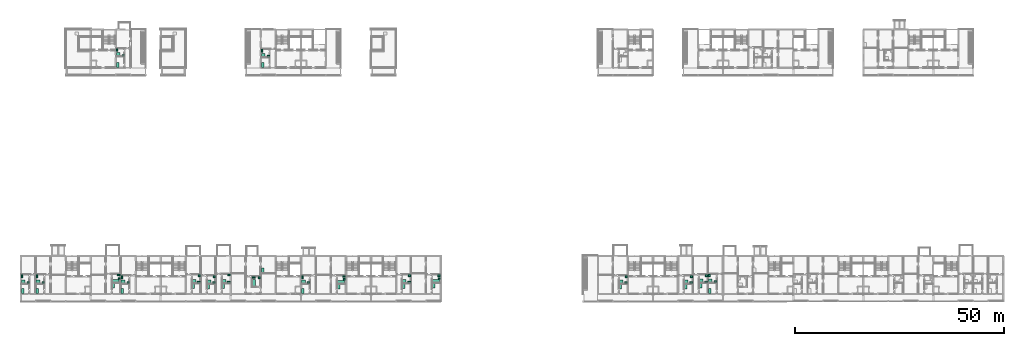
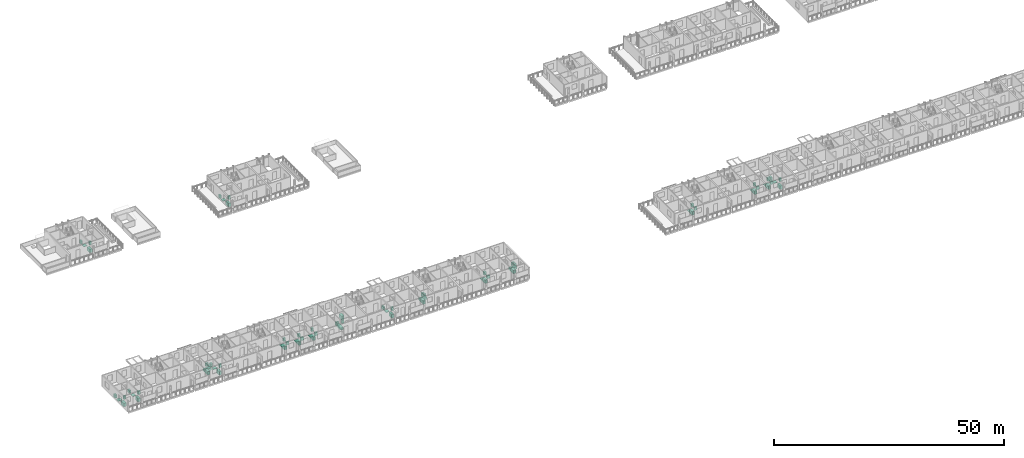
# One storey, part 86 of 87: 72 sanitary terminals.
"""IFC4 building model written with IfcOpenShell, lengths in metres."""

from ifc_helpers import new_model, si_unit, direction, frame, origin, origin_2d, place, context, subcontext, project, spatial, rectangle, extrude, element, save


model = new_model("IFC4")

# Units and contexts
model_context = context("Model", 3, precision=1e-05, world=origin(), true_north=direction((0.0, 1.0)))
body_context = subcontext(model_context, "Body", "Model", "MODEL_VIEW")
ifc_project = project(units=[si_unit("LENGTHUNIT", "METRE"), si_unit("AREAUNIT", "SQUARE_METRE"), si_unit("VOLUMEUNIT", "CUBIC_METRE"), si_unit("PLANEANGLEUNIT", "RADIAN"), si_unit("MASSUNIT", "GRAM", prefix="KILO")], contexts=[model_context])

# Site, building, storey
site_placement = place(None, origin())
site = spatial("IfcSite", under=ifc_project, at=site_placement, CompositionType="ELEMENT")
building_placement = place(site_placement, origin())
building = spatial("IfcBuilding", under=site, at=building_placement, Name="Ridgestep Commons", CompositionType="ELEMENT")
storey_placement = place(building_placement, frame((0.0, 0.0, 27.0)))
storey = spatial("IfcBuildingStorey", under=building, at=storey_placement, Name="L09", CompositionType="ELEMENT", Elevation=27.0)

# Sanitary terminals
sanitary_terminal_1_placement = place(storey_placement, frame((12.60009765625, 16.610107421875, 0.0), z_axis=(0.0, 0.0, 1.0), x_axis=(1.0, 0.0, 0.0)))
element("IfcSanitaryTerminal", 1, at=sanitary_terminal_1_placement, inside=storey, Name="Shower tray A1-09a", PredefinedType="SHOWER", context=body_context, shape_type="SweptSolid", body=[
    extrude(rectangle(XDim=0.89990234375, YDim=0.89990234375, at=origin_2d()), origin(), (0.0, 0.0, 1.0), 0.10009765625),
])
sanitary_terminal_2_placement = place(storey_placement, frame((12.35009765625, 17.89990234375, 0.0), z_axis=(0.0, 0.0, 1.0), x_axis=(1.0, 0.0, 0.0)))
element("IfcSanitaryTerminal", 2, at=sanitary_terminal_2_placement, inside=storey, Name="WC A1-09a", PredefinedType="TOILETPAN", context=body_context, shape_type="SweptSolid", body=[
    extrude(rectangle(XDim=0.39990234375, YDim=0.699951171875, at=origin_2d()), origin(), (0.0, 0.0, 1.0), 0.800048828125),
])
sanitary_terminal_3_placement = place(storey_placement, frame((13.81494140625, 16.385009765625, 0.0), z_axis=(0.0, 0.0, 1.0), x_axis=(1.0, 0.0, 0.0)))
element("IfcSanitaryTerminal", 3, at=sanitary_terminal_3_placement, inside=storey, Name="Basin A1-09a", PredefinedType="WASHHANDBASIN", context=body_context, shape_type="SweptSolid", body=[
    extrude(rectangle(XDim=0.550048828125, YDim=0.449951171875, at=origin_2d()), origin(), (0.0, 0.0, 1.0), 0.85009765625),
])
sanitary_terminal_4_placement = place(storey_placement, frame((12.449951171875, 14.35009765625, 0.0), z_axis=(0.0, 0.0, 1.0), x_axis=(1.0, 0.0, 0.0)))
element("IfcSanitaryTerminal", 4, at=sanitary_terminal_4_placement, inside=storey, Name="Kitchen sink A1-09a", PredefinedType="SINK", context=body_context, shape_type="SweptSolid", body=[
    extrude(rectangle(XDim=0.60009765625, YDim=1.199951171875, at=origin_2d()), origin(), (0.0, 0.0, 1.0), 0.89990234375),
])
sanitary_terminal_5_placement = place(storey_placement, frame((16.14990234375, 16.610107421875, 0.0), z_axis=(0.0, 0.0, 1.0), x_axis=(1.0, 0.0, 0.0)))
element("IfcSanitaryTerminal", 5, at=sanitary_terminal_5_placement, inside=storey, Name="Shower tray A1-09b", PredefinedType="SHOWER", context=body_context, shape_type="SweptSolid", body=[
    extrude(rectangle(XDim=0.89990234375, YDim=0.89990234375, at=origin_2d()), origin(), (0.0, 0.0, 1.0), 0.10009765625),
])
sanitary_terminal_6_placement = place(storey_placement, frame((15.89990234375, 17.89990234375, 0.0), z_axis=(0.0, 0.0, 1.0), x_axis=(1.0, 0.0, 0.0)))
element("IfcSanitaryTerminal", 6, at=sanitary_terminal_6_placement, inside=storey, Name="WC A1-09b", PredefinedType="TOILETPAN", context=body_context, shape_type="SweptSolid", body=[
    extrude(rectangle(XDim=0.39990234375, YDim=0.699951171875, at=origin_2d()), origin(), (0.0, 0.0, 1.0), 0.800048828125),
])
sanitary_terminal_7_placement = place(storey_placement, frame((17.4150390625, 16.385009765625, 0.0), z_axis=(0.0, 0.0, 1.0), x_axis=(1.0, 0.0, 0.0)))
element("IfcSanitaryTerminal", 7, at=sanitary_terminal_7_placement, inside=storey, Name="Basin A1-09b", PredefinedType="WASHHANDBASIN", context=body_context, shape_type="SweptSolid", body=[
    extrude(rectangle(XDim=0.550048828125, YDim=0.449951171875, at=origin_2d()), origin(), (0.0, 0.0, 1.0), 0.85009765625),
])
sanitary_terminal_8_placement = place(storey_placement, frame((16.0, 14.35009765625, 0.0), z_axis=(0.0, 0.0, 1.0), x_axis=(1.0, 0.0, 0.0)))
element("IfcSanitaryTerminal", 8, at=sanitary_terminal_8_placement, inside=storey, Name="Kitchen sink A1-09b", PredefinedType="SINK", context=body_context, shape_type="SweptSolid", body=[
    extrude(rectangle(XDim=0.60009765625, YDim=1.199951171875, at=origin_2d()), origin(), (0.0, 0.0, 1.0), 0.89990234375),
])
sanitary_terminal_9_placement = place(storey_placement, frame((34.760009765625, 16.735107421875, 0.0), z_axis=(0.0, 0.0, 1.0), x_axis=(1.0, 0.0, 0.0)))
element("IfcSanitaryTerminal", 9, at=sanitary_terminal_9_placement, inside=storey, Name="Bath A2-09a", PredefinedType="BATH", context=body_context, shape_type="SweptSolid", body=[
    extrude(rectangle(XDim=1.699951171875, YDim=0.75, at=origin_2d()), origin(), (0.0, 0.0, 1.0), 0.550048828125),
])
sanitary_terminal_10_placement = place(storey_placement, frame((35.550048828125, 18.25, 0.0), z_axis=(0.0, 0.0, 1.0), x_axis=(1.0, 0.0, 0.0)))
element("IfcSanitaryTerminal", 10, at=sanitary_terminal_10_placement, inside=storey, Name="WC A2-09a", PredefinedType="TOILETPAN", context=body_context, shape_type="SweptSolid", body=[
    extrude(rectangle(XDim=0.699951171875, YDim=0.39990234375, at=origin_2d()), origin(), (0.0, 0.0, 1.0), 0.800048828125),
])
sanitary_terminal_11_placement = place(storey_placement, frame((35.625, 17.385009765625, 0.0), z_axis=(0.0, 0.0, 1.0), x_axis=(1.0, 0.0, 0.0)))
element("IfcSanitaryTerminal", 11, at=sanitary_terminal_11_placement, inside=storey, Name="Basin A2-09a", PredefinedType="WASHHANDBASIN", context=body_context, shape_type="SweptSolid", body=[
    extrude(rectangle(XDim=0.550048828125, YDim=0.449951171875, at=origin_2d()), origin(), (0.0, 0.0, 1.0), 0.85009765625),
])
sanitary_terminal_12_placement = place(storey_placement, frame((34.2099609375, 15.64990234375, 0.0), z_axis=(0.0, 0.0, 1.0), x_axis=(1.0, 0.0, 0.0)))
element("IfcSanitaryTerminal", 12, at=sanitary_terminal_12_placement, inside=storey, Name="Kitchen sink A2-09a", PredefinedType="SINK", context=body_context, shape_type="SweptSolid", body=[
    extrude(rectangle(XDim=0.60009765625, YDim=1.199951171875, at=origin_2d()), origin(), (0.0, 0.0, 1.0), 0.89990234375),
])
sanitary_terminal_13_placement = place(storey_placement, frame((36.550048828125, 16.610107421875, 0.0), z_axis=(0.0, 0.0, 1.0), x_axis=(1.0, 0.0, 0.0)))
element("IfcSanitaryTerminal", 13, at=sanitary_terminal_13_placement, inside=storey, Name="Shower tray A2-09b", PredefinedType="SHOWER", context=body_context, shape_type="SweptSolid", body=[
    extrude(rectangle(XDim=0.89990234375, YDim=0.89990234375, at=origin_2d()), origin(), (0.0, 0.0, 1.0), 0.10009765625),
])
sanitary_terminal_14_placement = place(storey_placement, frame((36.300048828125, 17.699951171875, 0.0), z_axis=(0.0, 0.0, 1.0), x_axis=(1.0, 0.0, 0.0)))
element("IfcSanitaryTerminal", 14, at=sanitary_terminal_14_placement, inside=storey, Name="WC A2-09b", PredefinedType="TOILETPAN", context=body_context, shape_type="SweptSolid", body=[
    extrude(rectangle(XDim=0.39990234375, YDim=0.699951171875, at=origin_2d()), origin(), (0.0, 0.0, 1.0), 0.800048828125),
])
sanitary_terminal_15_placement = place(storey_placement, frame((37.7900390625, 16.385009765625, 0.0), z_axis=(0.0, 0.0, 1.0), x_axis=(1.0, 0.0, 0.0)))
element("IfcSanitaryTerminal", 15, at=sanitary_terminal_15_placement, inside=storey, Name="Basin A2-09b", PredefinedType="WASHHANDBASIN", context=body_context, shape_type="SweptSolid", body=[
    extrude(rectangle(XDim=0.550048828125, YDim=0.449951171875, at=origin_2d()), origin(), (0.0, 0.0, 1.0), 0.85009765625),
])
sanitary_terminal_16_placement = place(storey_placement, frame((36.39990234375, 14.35009765625, 0.0), z_axis=(0.0, 0.0, 1.0), x_axis=(1.0, 0.0, 0.0)))
element("IfcSanitaryTerminal", 16, at=sanitary_terminal_16_placement, inside=storey, Name="Kitchen sink A2-09b", PredefinedType="SINK", context=body_context, shape_type="SweptSolid", body=[
    extrude(rectangle(XDim=0.60009765625, YDim=1.199951171875, at=origin_2d()), origin(), (0.0, 0.0, 1.0), 0.89990234375),
])
sanitary_terminal_17_placement = place(storey_placement, frame((60.760009765625, 16.7099609375, 0.0), z_axis=(0.0, 0.0, 1.0), x_axis=(1.0, 0.0, 0.0)))
element("IfcSanitaryTerminal", 17, at=sanitary_terminal_17_placement, inside=storey, Name="Shower tray A3-09a", PredefinedType="SHOWER", context=body_context, shape_type="SweptSolid", body=[
    extrude(rectangle(XDim=0.89990234375, YDim=0.89990234375, at=origin_2d()), origin(), (0.0, 0.0, 1.0), 0.10009765625),
])
sanitary_terminal_18_placement = place(storey_placement, frame((61.89990234375, 16.4599609375, 0.0), z_axis=(0.0, 0.0, 1.0), x_axis=(1.0, 0.0, 0.0)))
element("IfcSanitaryTerminal", 18, at=sanitary_terminal_18_placement, inside=storey, Name="WC A3-09a", PredefinedType="TOILETPAN", context=body_context, shape_type="SweptSolid", body=[
    extrude(rectangle(XDim=0.699951171875, YDim=0.39990234375, at=origin_2d()), origin(), (0.0, 0.0, 1.0), 0.800048828125),
])
sanitary_terminal_19_placement = place(storey_placement, frame((61.97509765625, 18.22509765625, 0.0), z_axis=(0.0, 0.0, 1.0), x_axis=(1.0, 0.0, 0.0)))
element("IfcSanitaryTerminal", 19, at=sanitary_terminal_19_placement, inside=storey, Name="Basin A3-09a", PredefinedType="WASHHANDBASIN", context=body_context, shape_type="SweptSolid", body=[
    extrude(rectangle(XDim=0.550048828125, YDim=0.449951171875, at=origin_2d()), origin(), (0.0, 0.0, 1.0), 0.85009765625),
])
sanitary_terminal_20_placement = place(storey_placement, frame((60.610107421875, 15.550048828125, 0.0), z_axis=(0.0, 0.0, 1.0), x_axis=(1.0, 0.0, 0.0)))
element("IfcSanitaryTerminal", 20, at=sanitary_terminal_20_placement, inside=storey, Name="Kitchen sink A3-09a", PredefinedType="SINK", context=body_context, shape_type="SweptSolid", body=[
    extrude(rectangle(XDim=0.60009765625, YDim=1.199951171875, at=origin_2d()), origin(), (0.0, 0.0, 1.0), 0.89990234375),
])
sanitary_terminal_21_placement = place(storey_placement, frame((57.159912109375, 16.610107421875, 0.0), z_axis=(0.0, 0.0, 1.0), x_axis=(1.0, 0.0, 0.0)))
element("IfcSanitaryTerminal", 21, at=sanitary_terminal_21_placement, inside=storey, Name="Shower tray A3-09b", PredefinedType="SHOWER", context=body_context, shape_type="SweptSolid", body=[
    extrude(rectangle(XDim=0.89990234375, YDim=0.89990234375, at=origin_2d()), origin(), (0.0, 0.0, 1.0), 0.10009765625),
])
sanitary_terminal_22_placement = place(storey_placement, frame((58.35009765625, 16.360107421875, 0.0), z_axis=(0.0, 0.0, 1.0), x_axis=(1.0, 0.0, 0.0)))
element("IfcSanitaryTerminal", 22, at=sanitary_terminal_22_placement, inside=storey, Name="WC A3-09b", PredefinedType="TOILETPAN", context=body_context, shape_type="SweptSolid", body=[
    extrude(rectangle(XDim=0.699951171875, YDim=0.39990234375, at=origin_2d()), origin(), (0.0, 0.0, 1.0), 0.800048828125),
])
sanitary_terminal_23_placement = place(storey_placement, frame((58.425048828125, 17.824951171875, 0.0), z_axis=(0.0, 0.0, 1.0), x_axis=(1.0, 0.0, 0.0)))
element("IfcSanitaryTerminal", 23, at=sanitary_terminal_23_placement, inside=storey, Name="Basin A3-09b", PredefinedType="WASHHANDBASIN", context=body_context, shape_type="SweptSolid", body=[
    extrude(rectangle(XDim=0.550048828125, YDim=0.449951171875, at=origin_2d()), origin(), (0.0, 0.0, 1.0), 0.85009765625),
])
sanitary_terminal_24_placement = place(storey_placement, frame((57.010009765625, 15.449951171875, 0.0), z_axis=(0.0, 0.0, 1.0), x_axis=(1.0, 0.0, 0.0)))
element("IfcSanitaryTerminal", 24, at=sanitary_terminal_24_placement, inside=storey, Name="Kitchen sink A3-09b", PredefinedType="SINK", context=body_context, shape_type="SweptSolid", body=[
    extrude(rectangle(XDim=0.60009765625, YDim=1.199951171875, at=origin_2d()), origin(), (0.0, 0.0, 1.0), 0.89990234375),
])
sanitary_terminal_25_placement = place(storey_placement, frame((53.5849609375, 16.7099609375, 0.0), z_axis=(0.0, 0.0, 1.0), x_axis=(1.0, 0.0, 0.0)))
element("IfcSanitaryTerminal", 25, at=sanitary_terminal_25_placement, inside=storey, Name="Shower tray A3-09c", PredefinedType="SHOWER", context=body_context, shape_type="SweptSolid", body=[
    extrude(rectangle(XDim=0.89990234375, YDim=0.89990234375, at=origin_2d()), origin(), (0.0, 0.0, 1.0), 0.10009765625),
])
sanitary_terminal_26_placement = place(storey_placement, frame((54.75, 16.4599609375, 0.0), z_axis=(0.0, 0.0, 1.0), x_axis=(1.0, 0.0, 0.0)))
element("IfcSanitaryTerminal", 26, at=sanitary_terminal_26_placement, inside=storey, Name="WC A3-09c", PredefinedType="TOILETPAN", context=body_context, shape_type="SweptSolid", body=[
    extrude(rectangle(XDim=0.699951171875, YDim=0.39990234375, at=origin_2d()), origin(), (0.0, 0.0, 1.0), 0.800048828125),
])
sanitary_terminal_27_placement = place(storey_placement, frame((54.824951171875, 18.02490234375, 0.0), z_axis=(0.0, 0.0, 1.0), x_axis=(1.0, 0.0, 0.0)))
element("IfcSanitaryTerminal", 27, at=sanitary_terminal_27_placement, inside=storey, Name="Basin A3-09c", PredefinedType="WASHHANDBASIN", context=body_context, shape_type="SweptSolid", body=[
    extrude(rectangle(XDim=0.550048828125, YDim=0.449951171875, at=origin_2d()), origin(), (0.0, 0.0, 1.0), 0.85009765625),
])
sanitary_terminal_28_placement = place(storey_placement, frame((53.43505859375, 15.550048828125, 0.0), z_axis=(0.0, 0.0, 1.0), x_axis=(1.0, 0.0, 0.0)))
element("IfcSanitaryTerminal", 28, at=sanitary_terminal_28_placement, inside=storey, Name="Kitchen sink A3-09c", PredefinedType="SINK", context=body_context, shape_type="SweptSolid", body=[
    extrude(rectangle(XDim=0.60009765625, YDim=1.199951171875, at=origin_2d()), origin(), (0.0, 0.0, 1.0), 0.89990234375),
])
sanitary_terminal_29_placement = place(storey_placement, frame((67.885009765625, 16.260009765625, 0.0), z_axis=(0.0, 0.0, 1.0), x_axis=(1.0, 0.0, 0.0)))
element("IfcSanitaryTerminal", 29, at=sanitary_terminal_29_placement, inside=storey, Name="Bath A4-09a", PredefinedType="BATH", context=body_context, shape_type="SweptSolid", body=[
    extrude(rectangle(XDim=0.75, YDim=1.699951171875, at=origin_2d()), origin(), (0.0, 0.0, 1.0), 0.550048828125),
])
sanitary_terminal_30_placement = place(storey_placement, frame((67.860107421875, 17.610107421875, 0.0), z_axis=(0.0, 0.0, 1.0), x_axis=(1.0, 0.0, 0.0)))
element("IfcSanitaryTerminal", 30, at=sanitary_terminal_30_placement, inside=storey, Name="WC A4-09a", PredefinedType="TOILETPAN", context=body_context, shape_type="SweptSolid", body=[
    extrude(rectangle(XDim=0.699951171875, YDim=0.39990234375, at=origin_2d()), origin(), (0.0, 0.0, 1.0), 0.800048828125),
])
sanitary_terminal_31_placement = place(storey_placement, frame((69.22509765625, 17.5849609375, 0.0), z_axis=(0.0, 0.0, 1.0), x_axis=(1.0, 0.0, 0.0)))
element("IfcSanitaryTerminal", 31, at=sanitary_terminal_31_placement, inside=storey, Name="Basin A4-09a", PredefinedType="WASHHANDBASIN", context=body_context, shape_type="SweptSolid", body=[
    extrude(rectangle(XDim=0.550048828125, YDim=0.449951171875, at=origin_2d()), origin(), (0.0, 0.0, 1.0), 0.85009765625),
])
sanitary_terminal_32_placement = place(storey_placement, frame((70.0, 19.260009765625, 0.0), z_axis=(0.0, 0.0, 1.0), x_axis=(1.0, 0.0, 0.0)))
element("IfcSanitaryTerminal", 32, at=sanitary_terminal_32_placement, inside=storey, Name="Kitchen sink A4-09a", PredefinedType="SINK", context=body_context, shape_type="SweptSolid", body=[
    extrude(rectangle(XDim=0.60009765625, YDim=1.199951171875, at=origin_2d()), origin(), (0.0, 0.0, 1.0), 0.89990234375),
])
sanitary_terminal_33_placement = place(storey_placement, frame((79.800048828125, 16.610107421875, 0.0), z_axis=(0.0, 0.0, 1.0), x_axis=(1.0, 0.0, 0.0)))
element("IfcSanitaryTerminal", 33, at=sanitary_terminal_33_placement, inside=storey, Name="Shower tray A5-09a", PredefinedType="SHOWER", context=body_context, shape_type="SweptSolid", body=[
    extrude(rectangle(XDim=0.89990234375, YDim=0.89990234375, at=origin_2d()), origin(), (0.0, 0.0, 1.0), 0.10009765625),
])
sanitary_terminal_34_placement = place(storey_placement, frame((79.550048828125, 17.699951171875, 0.0), z_axis=(0.0, 0.0, 1.0), x_axis=(1.0, 0.0, 0.0)))
element("IfcSanitaryTerminal", 34, at=sanitary_terminal_34_placement, inside=storey, Name="WC A5-09a", PredefinedType="TOILETPAN", context=body_context, shape_type="SweptSolid", body=[
    extrude(rectangle(XDim=0.39990234375, YDim=0.699951171875, at=origin_2d()), origin(), (0.0, 0.0, 1.0), 0.800048828125),
])
sanitary_terminal_35_placement = place(storey_placement, frame((81.014892578125, 16.385009765625, 0.0), z_axis=(0.0, 0.0, 1.0), x_axis=(1.0, 0.0, 0.0)))
element("IfcSanitaryTerminal", 35, at=sanitary_terminal_35_placement, inside=storey, Name="Basin A5-09a", PredefinedType="WASHHANDBASIN", context=body_context, shape_type="SweptSolid", body=[
    extrude(rectangle(XDim=0.550048828125, YDim=0.449951171875, at=origin_2d()), origin(), (0.0, 0.0, 1.0), 0.85009765625),
])
sanitary_terminal_36_placement = place(storey_placement, frame((79.64990234375, 14.35009765625, 0.0), z_axis=(0.0, 0.0, 1.0), x_axis=(1.0, 0.0, 0.0)))
element("IfcSanitaryTerminal", 36, at=sanitary_terminal_36_placement, inside=storey, Name="Kitchen sink A5-09a", PredefinedType="SINK", context=body_context, shape_type="SweptSolid", body=[
    extrude(rectangle(XDim=0.60009765625, YDim=1.199951171875, at=origin_2d()), origin(), (0.0, 0.0, 1.0), 0.89990234375),
])
sanitary_terminal_37_placement = place(storey_placement, frame((88.760009765625, 16.534912109375, 0.0), z_axis=(0.0, 0.0, 1.0), x_axis=(1.0, 0.0, 0.0)))
element("IfcSanitaryTerminal", 37, at=sanitary_terminal_37_placement, inside=storey, Name="Bath A5-09b", PredefinedType="BATH", context=body_context, shape_type="SweptSolid", body=[
    extrude(rectangle(XDim=1.699951171875, YDim=0.75, at=origin_2d()), origin(), (0.0, 0.0, 1.0), 0.550048828125),
])
sanitary_terminal_38_placement = place(storey_placement, frame((89.52490234375, 17.85009765625, 0.0), z_axis=(0.0, 0.0, 1.0), x_axis=(1.0, 0.0, 0.0)))
element("IfcSanitaryTerminal", 38, at=sanitary_terminal_38_placement, inside=storey, Name="WC A5-09b", PredefinedType="TOILETPAN", context=body_context, shape_type="SweptSolid", body=[
    extrude(rectangle(XDim=0.699951171875, YDim=0.39990234375, at=origin_2d()), origin(), (0.0, 0.0, 1.0), 0.800048828125),
])
sanitary_terminal_39_placement = place(storey_placement, frame((89.60009765625, 17.18505859375, 0.0), z_axis=(0.0, 0.0, 1.0), x_axis=(1.0, 0.0, 0.0)))
element("IfcSanitaryTerminal", 39, at=sanitary_terminal_39_placement, inside=storey, Name="Basin A5-09b", PredefinedType="WASHHANDBASIN", context=body_context, shape_type="SweptSolid", body=[
    extrude(rectangle(XDim=0.550048828125, YDim=0.449951171875, at=origin_2d()), origin(), (0.0, 0.0, 1.0), 0.85009765625),
])
sanitary_terminal_40_placement = place(storey_placement, frame((88.2099609375, 15.449951171875, 0.0), z_axis=(0.0, 0.0, 1.0), x_axis=(1.0, 0.0, 0.0)))
element("IfcSanitaryTerminal", 40, at=sanitary_terminal_40_placement, inside=storey, Name="Kitchen sink A5-09b", PredefinedType="SINK", context=body_context, shape_type="SweptSolid", body=[
    extrude(rectangle(XDim=0.60009765625, YDim=1.199951171875, at=origin_2d()), origin(), (0.0, 0.0, 1.0), 0.89990234375),
])
sanitary_terminal_41_placement = place(storey_placement, frame((111.56005859375, 16.735107421875, 0.0), z_axis=(0.0, 0.0, 1.0), x_axis=(1.0, 0.0, 0.0)))
element("IfcSanitaryTerminal", 41, at=sanitary_terminal_41_placement, inside=storey, Name="Bath A6-09a", PredefinedType="BATH", context=body_context, shape_type="SweptSolid", body=[
    extrude(rectangle(XDim=1.699951171875, YDim=0.75, at=origin_2d()), origin(), (0.0, 0.0, 1.0), 0.550048828125),
])
sanitary_terminal_42_placement = place(storey_placement, frame((112.300048828125, 18.050048828125, 0.0), z_axis=(0.0, 0.0, 1.0), x_axis=(1.0, 0.0, 0.0)))
element("IfcSanitaryTerminal", 42, at=sanitary_terminal_42_placement, inside=storey, Name="WC A6-09a", PredefinedType="TOILETPAN", context=body_context, shape_type="SweptSolid", body=[
    extrude(rectangle(XDim=0.699951171875, YDim=0.39990234375, at=origin_2d()), origin(), (0.0, 0.0, 1.0), 0.800048828125),
])
sanitary_terminal_43_placement = place(storey_placement, frame((112.375, 17.385009765625, 0.0), z_axis=(0.0, 0.0, 1.0), x_axis=(1.0, 0.0, 0.0)))
element("IfcSanitaryTerminal", 43, at=sanitary_terminal_43_placement, inside=storey, Name="Basin A6-09a", PredefinedType="WASHHANDBASIN", context=body_context, shape_type="SweptSolid", body=[
    extrude(rectangle(XDim=0.550048828125, YDim=0.449951171875, at=origin_2d()), origin(), (0.0, 0.0, 1.0), 0.85009765625),
])
sanitary_terminal_44_placement = place(storey_placement, frame((111.010009765625, 15.64990234375, 0.0), z_axis=(0.0, 0.0, 1.0), x_axis=(1.0, 0.0, 0.0)))
element("IfcSanitaryTerminal", 44, at=sanitary_terminal_44_placement, inside=storey, Name="Kitchen sink A6-09a", PredefinedType="SINK", context=body_context, shape_type="SweptSolid", body=[
    extrude(rectangle(XDim=0.60009765625, YDim=1.199951171875, at=origin_2d()), origin(), (0.0, 0.0, 1.0), 0.89990234375),
])
sanitary_terminal_45_placement = place(storey_placement, frame((103.985107421875, 16.7099609375, 0.0), z_axis=(0.0, 0.0, 1.0), x_axis=(1.0, 0.0, 0.0)))
element("IfcSanitaryTerminal", 45, at=sanitary_terminal_45_placement, inside=storey, Name="Shower tray A6-09b", PredefinedType="SHOWER", context=body_context, shape_type="SweptSolid", body=[
    extrude(rectangle(XDim=0.89990234375, YDim=0.89990234375, at=origin_2d()), origin(), (0.0, 0.0, 1.0), 0.10009765625),
])
sanitary_terminal_46_placement = place(storey_placement, frame((105.14990234375, 16.4599609375, 0.0), z_axis=(0.0, 0.0, 1.0), x_axis=(1.0, 0.0, 0.0)))
element("IfcSanitaryTerminal", 46, at=sanitary_terminal_46_placement, inside=storey, Name="WC A6-09b", PredefinedType="TOILETPAN", context=body_context, shape_type="SweptSolid", body=[
    extrude(rectangle(XDim=0.699951171875, YDim=0.39990234375, at=origin_2d()), origin(), (0.0, 0.0, 1.0), 0.800048828125),
])
sanitary_terminal_47_placement = place(storey_placement, frame((105.22509765625, 18.02490234375, 0.0), z_axis=(0.0, 0.0, 1.0), x_axis=(1.0, 0.0, 0.0)))
element("IfcSanitaryTerminal", 47, at=sanitary_terminal_47_placement, inside=storey, Name="Basin A6-09b", PredefinedType="WASHHANDBASIN", context=body_context, shape_type="SweptSolid", body=[
    extrude(rectangle(XDim=0.550048828125, YDim=0.449951171875, at=origin_2d()), origin(), (0.0, 0.0, 1.0), 0.85009765625),
])
sanitary_terminal_48_placement = place(storey_placement, frame((103.8349609375, 15.550048828125, 0.0), z_axis=(0.0, 0.0, 1.0), x_axis=(1.0, 0.0, 0.0)))
element("IfcSanitaryTerminal", 48, at=sanitary_terminal_48_placement, inside=storey, Name="Kitchen sink A6-09b", PredefinedType="SINK", context=body_context, shape_type="SweptSolid", body=[
    extrude(rectangle(XDim=0.60009765625, YDim=1.199951171875, at=origin_2d()), origin(), (0.0, 0.0, 1.0), 0.89990234375),
])
sanitary_terminal_49_placement = place(storey_placement, frame((35.375, 71.06005859375, 0.0), z_axis=(0.0, 0.0, 1.0), x_axis=(1.0, 0.0, 0.0)))
element("IfcSanitaryTerminal", 49, at=sanitary_terminal_49_placement, inside=storey, Name="Shower tray B2-09a", PredefinedType="SHOWER", context=body_context, shape_type="SweptSolid", body=[
    extrude(rectangle(XDim=0.89990234375, YDim=0.89990234375, at=origin_2d()), origin(), (0.0, 0.0, 1.0), 0.10009765625),
])
sanitary_terminal_50_placement = place(storey_placement, frame((35.125, 72.14990234375, 0.0), z_axis=(0.0, 0.0, 1.0), x_axis=(1.0, 0.0, 0.0)))
element("IfcSanitaryTerminal", 50, at=sanitary_terminal_50_placement, inside=storey, Name="WC B2-09a", PredefinedType="TOILETPAN", context=body_context, shape_type="SweptSolid", body=[
    extrude(rectangle(XDim=0.39990234375, YDim=0.699951171875, at=origin_2d()), origin(), (0.0, 0.0, 1.0), 0.800048828125),
])
sanitary_terminal_51_placement = place(storey_placement, frame((36.614990234375, 70.8349609375, 0.0), z_axis=(0.0, 0.0, 1.0), x_axis=(1.0, 0.0, 0.0)))
element("IfcSanitaryTerminal", 51, at=sanitary_terminal_51_placement, inside=storey, Name="Basin B2-09a", PredefinedType="WASHHANDBASIN", context=body_context, shape_type="SweptSolid", body=[
    extrude(rectangle(XDim=0.550048828125, YDim=0.449951171875, at=origin_2d()), origin(), (0.0, 0.0, 1.0), 0.85009765625),
])
sanitary_terminal_52_placement = place(storey_placement, frame((35.22509765625, 68.60009765625, 0.0), z_axis=(0.0, 0.0, 1.0), x_axis=(1.0, 0.0, 0.0)))
element("IfcSanitaryTerminal", 52, at=sanitary_terminal_52_placement, inside=storey, Name="Kitchen sink B2-09a", PredefinedType="SINK", context=body_context, shape_type="SweptSolid", body=[
    extrude(rectangle(XDim=0.60009765625, YDim=1.199951171875, at=origin_2d()), origin(), (0.0, 0.0, 1.0), 0.89990234375),
])
sanitary_terminal_53_placement = place(storey_placement, frame((70.14990234375, 70.860107421875, 0.0), z_axis=(0.0, 0.0, 1.0), x_axis=(1.0, 0.0, 0.0)))
element("IfcSanitaryTerminal", 53, at=sanitary_terminal_53_placement, inside=storey, Name="Shower tray B4-09a", PredefinedType="SHOWER", context=body_context, shape_type="SweptSolid", body=[
    extrude(rectangle(XDim=0.89990234375, YDim=0.89990234375, at=origin_2d()), origin(), (0.0, 0.0, 1.0), 0.10009765625),
])
sanitary_terminal_54_placement = place(storey_placement, frame((69.89990234375, 71.949951171875, 0.0), z_axis=(0.0, 0.0, 1.0), x_axis=(1.0, 0.0, 0.0)))
element("IfcSanitaryTerminal", 54, at=sanitary_terminal_54_placement, inside=storey, Name="WC B4-09a", PredefinedType="TOILETPAN", context=body_context, shape_type="SweptSolid", body=[
    extrude(rectangle(XDim=0.39990234375, YDim=0.699951171875, at=origin_2d()), origin(), (0.0, 0.0, 1.0), 0.800048828125),
])
sanitary_terminal_55_placement = place(storey_placement, frame((71.389892578125, 70.635009765625, 0.0), z_axis=(0.0, 0.0, 1.0), x_axis=(1.0, 0.0, 0.0)))
element("IfcSanitaryTerminal", 55, at=sanitary_terminal_55_placement, inside=storey, Name="Basin B4-09a", PredefinedType="WASHHANDBASIN", context=body_context, shape_type="SweptSolid", body=[
    extrude(rectangle(XDim=0.550048828125, YDim=0.449951171875, at=origin_2d()), origin(), (0.0, 0.0, 1.0), 0.85009765625),
])
sanitary_terminal_56_placement = place(storey_placement, frame((70.0, 68.60009765625, 0.0), z_axis=(0.0, 0.0, 1.0), x_axis=(1.0, 0.0, 0.0)))
element("IfcSanitaryTerminal", 56, at=sanitary_terminal_56_placement, inside=storey, Name="Kitchen sink B4-09a", PredefinedType="SINK", context=body_context, shape_type="SweptSolid", body=[
    extrude(rectangle(XDim=0.60009765625, YDim=1.199951171875, at=origin_2d()), origin(), (0.0, 0.0, 1.0), 0.89990234375),
])
sanitary_terminal_57_placement = place(storey_placement, frame((155.9599609375, 16.610107421875, 0.0), z_axis=(0.0, 0.0, 1.0), x_axis=(1.0, 0.0, 0.0)))
element("IfcSanitaryTerminal", 57, at=sanitary_terminal_57_placement, inside=storey, Name="Shower tray D1-09a", PredefinedType="SHOWER", context=body_context, shape_type="SweptSolid", body=[
    extrude(rectangle(XDim=0.89990234375, YDim=0.89990234375, at=origin_2d()), origin(), (0.0, 0.0, 1.0), 0.10009765625),
])
sanitary_terminal_58_placement = place(storey_placement, frame((157.125, 16.360107421875, 0.0), z_axis=(0.0, 0.0, 1.0), x_axis=(1.0, 0.0, 0.0)))
element("IfcSanitaryTerminal", 58, at=sanitary_terminal_58_placement, inside=storey, Name="WC D1-09a", PredefinedType="TOILETPAN", context=body_context, shape_type="SweptSolid", body=[
    extrude(rectangle(XDim=0.699951171875, YDim=0.39990234375, at=origin_2d()), origin(), (0.0, 0.0, 1.0), 0.800048828125),
])
sanitary_terminal_59_placement = place(storey_placement, frame((157.199951171875, 17.824951171875, 0.0), z_axis=(0.0, 0.0, 1.0), x_axis=(1.0, 0.0, 0.0)))
element("IfcSanitaryTerminal", 59, at=sanitary_terminal_59_placement, inside=storey, Name="Basin D1-09a", PredefinedType="WASHHANDBASIN", context=body_context, shape_type="SweptSolid", body=[
    extrude(rectangle(XDim=0.550048828125, YDim=0.449951171875, at=origin_2d()), origin(), (0.0, 0.0, 1.0), 0.85009765625),
])
sanitary_terminal_60_placement = place(storey_placement, frame((155.81005859375, 15.449951171875, 0.0), z_axis=(0.0, 0.0, 1.0), x_axis=(1.0, 0.0, 0.0)))
element("IfcSanitaryTerminal", 60, at=sanitary_terminal_60_placement, inside=storey, Name="Kitchen sink D1-09a", PredefinedType="SINK", context=body_context, shape_type="SweptSolid", body=[
    extrude(rectangle(XDim=0.60009765625, YDim=1.199951171875, at=origin_2d()), origin(), (0.0, 0.0, 1.0), 0.89990234375),
])
sanitary_terminal_61_placement = place(storey_placement, frame((177.35009765625, 16.81005859375, 0.0), z_axis=(0.0, 0.0, 1.0), x_axis=(1.0, 0.0, 0.0)))
element("IfcSanitaryTerminal", 61, at=sanitary_terminal_61_placement, inside=storey, Name="Shower tray D2-09a", PredefinedType="SHOWER", context=body_context, shape_type="SweptSolid", body=[
    extrude(rectangle(XDim=0.89990234375, YDim=0.89990234375, at=origin_2d()), origin(), (0.0, 0.0, 1.0), 0.10009765625),
])
sanitary_terminal_62_placement = place(storey_placement, frame((177.10009765625, 18.10009765625, 0.0), z_axis=(0.0, 0.0, 1.0), x_axis=(1.0, 0.0, 0.0)))
element("IfcSanitaryTerminal", 62, at=sanitary_terminal_62_placement, inside=storey, Name="WC D2-09a", PredefinedType="TOILETPAN", context=body_context, shape_type="SweptSolid", body=[
    extrude(rectangle(XDim=0.39990234375, YDim=0.699951171875, at=origin_2d()), origin(), (0.0, 0.0, 1.0), 0.800048828125),
])
sanitary_terminal_63_placement = place(storey_placement, frame((178.56494140625, 16.5849609375, 0.0), z_axis=(0.0, 0.0, 1.0), x_axis=(1.0, 0.0, 0.0)))
element("IfcSanitaryTerminal", 63, at=sanitary_terminal_63_placement, inside=storey, Name="Basin D2-09a", PredefinedType="WASHHANDBASIN", context=body_context, shape_type="SweptSolid", body=[
    extrude(rectangle(XDim=0.550048828125, YDim=0.449951171875, at=origin_2d()), origin(), (0.0, 0.0, 1.0), 0.85009765625),
])
sanitary_terminal_64_placement = place(storey_placement, frame((177.199951171875, 14.35009765625, 0.0), z_axis=(0.0, 0.0, 1.0), x_axis=(1.0, 0.0, 0.0)))
element("IfcSanitaryTerminal", 64, at=sanitary_terminal_64_placement, inside=storey, Name="Kitchen sink D2-09a", PredefinedType="SINK", context=body_context, shape_type="SweptSolid", body=[
    extrude(rectangle(XDim=0.60009765625, YDim=1.199951171875, at=origin_2d()), origin(), (0.0, 0.0, 1.0), 0.89990234375),
])
sanitary_terminal_65_placement = place(storey_placement, frame((175.159912109375, 16.81005859375, 0.0), z_axis=(0.0, 0.0, 1.0), x_axis=(1.0, 0.0, 0.0)))
element("IfcSanitaryTerminal", 65, at=sanitary_terminal_65_placement, inside=storey, Name="Shower tray D2-09b", PredefinedType="SHOWER", context=body_context, shape_type="SweptSolid", body=[
    extrude(rectangle(XDim=0.89990234375, YDim=0.89990234375, at=origin_2d()), origin(), (0.0, 0.0, 1.0), 0.10009765625),
])
sanitary_terminal_66_placement = place(storey_placement, frame((176.35009765625, 16.56005859375, 0.0), z_axis=(0.0, 0.0, 1.0), x_axis=(1.0, 0.0, 0.0)))
element("IfcSanitaryTerminal", 66, at=sanitary_terminal_66_placement, inside=storey, Name="WC D2-09b", PredefinedType="TOILETPAN", context=body_context, shape_type="SweptSolid", body=[
    extrude(rectangle(XDim=0.699951171875, YDim=0.39990234375, at=origin_2d()), origin(), (0.0, 0.0, 1.0), 0.800048828125),
])
sanitary_terminal_67_placement = place(storey_placement, frame((176.425048828125, 18.02490234375, 0.0), z_axis=(0.0, 0.0, 1.0), x_axis=(1.0, 0.0, 0.0)))
element("IfcSanitaryTerminal", 67, at=sanitary_terminal_67_placement, inside=storey, Name="Basin D2-09b", PredefinedType="WASHHANDBASIN", context=body_context, shape_type="SweptSolid", body=[
    extrude(rectangle(XDim=0.550048828125, YDim=0.449951171875, at=origin_2d()), origin(), (0.0, 0.0, 1.0), 0.85009765625),
])
sanitary_terminal_68_placement = place(storey_placement, frame((175.010009765625, 15.64990234375, 0.0), z_axis=(0.0, 0.0, 1.0), x_axis=(1.0, 0.0, 0.0)))
element("IfcSanitaryTerminal", 68, at=sanitary_terminal_68_placement, inside=storey, Name="Kitchen sink D2-09b", PredefinedType="SINK", context=body_context, shape_type="SweptSolid", body=[
    extrude(rectangle(XDim=0.60009765625, YDim=1.199951171875, at=origin_2d()), origin(), (0.0, 0.0, 1.0), 0.89990234375),
])
sanitary_terminal_69_placement = place(storey_placement, frame((171.5849609375, 16.610107421875, 0.0), z_axis=(0.0, 0.0, 1.0), x_axis=(1.0, 0.0, 0.0)))
element("IfcSanitaryTerminal", 69, at=sanitary_terminal_69_placement, inside=storey, Name="Shower tray D2-09c", PredefinedType="SHOWER", context=body_context, shape_type="SweptSolid", body=[
    extrude(rectangle(XDim=0.89990234375, YDim=0.89990234375, at=origin_2d()), origin(), (0.0, 0.0, 1.0), 0.10009765625),
])
sanitary_terminal_70_placement = place(storey_placement, frame((172.75, 16.360107421875, 0.0), z_axis=(0.0, 0.0, 1.0), x_axis=(1.0, 0.0, 0.0)))
element("IfcSanitaryTerminal", 70, at=sanitary_terminal_70_placement, inside=storey, Name="WC D2-09c", PredefinedType="TOILETPAN", context=body_context, shape_type="SweptSolid", body=[
    extrude(rectangle(XDim=0.699951171875, YDim=0.39990234375, at=origin_2d()), origin(), (0.0, 0.0, 1.0), 0.800048828125),
])
sanitary_terminal_71_placement = place(storey_placement, frame((172.824951171875, 17.824951171875, 0.0), z_axis=(0.0, 0.0, 1.0), x_axis=(1.0, 0.0, 0.0)))
element("IfcSanitaryTerminal", 71, at=sanitary_terminal_71_placement, inside=storey, Name="Basin D2-09c", PredefinedType="WASHHANDBASIN", context=body_context, shape_type="SweptSolid", body=[
    extrude(rectangle(XDim=0.550048828125, YDim=0.449951171875, at=origin_2d()), origin(), (0.0, 0.0, 1.0), 0.85009765625),
])
sanitary_terminal_72_placement = place(storey_placement, frame((171.43505859375, 15.449951171875, 0.0), z_axis=(0.0, 0.0, 1.0), x_axis=(1.0, 0.0, 0.0)))
element("IfcSanitaryTerminal", 72, at=sanitary_terminal_72_placement, inside=storey, Name="Kitchen sink D2-09c", PredefinedType="SINK", context=body_context, shape_type="SweptSolid", body=[
    extrude(rectangle(XDim=0.60009765625, YDim=1.199951171875, at=origin_2d()), origin(), (0.0, 0.0, 1.0), 0.89990234375),
])

save(model, "model.ifc")
